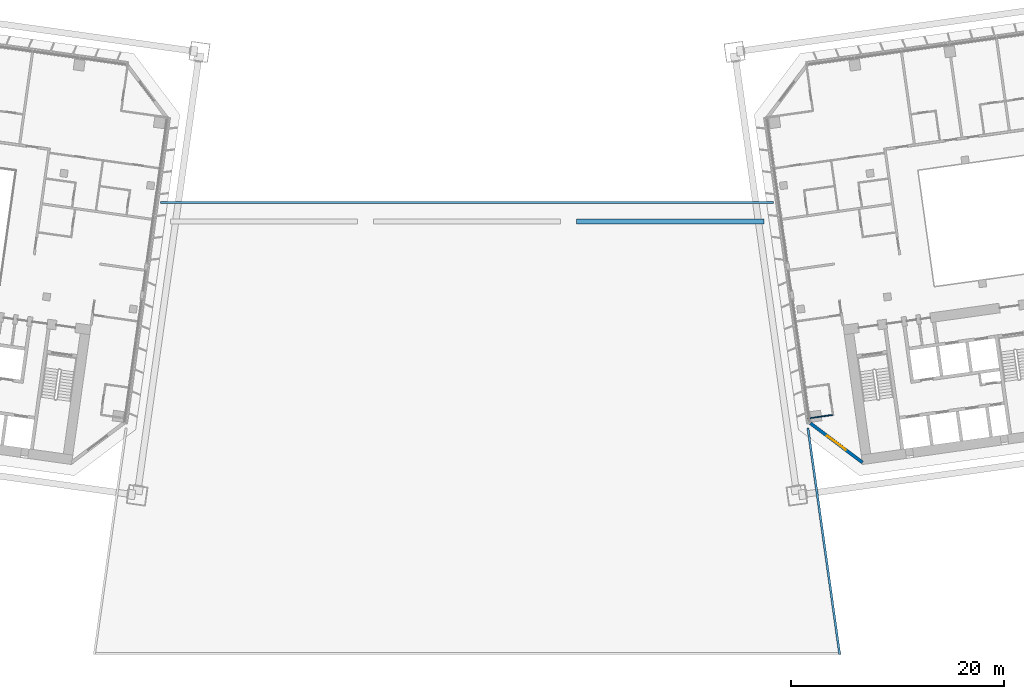
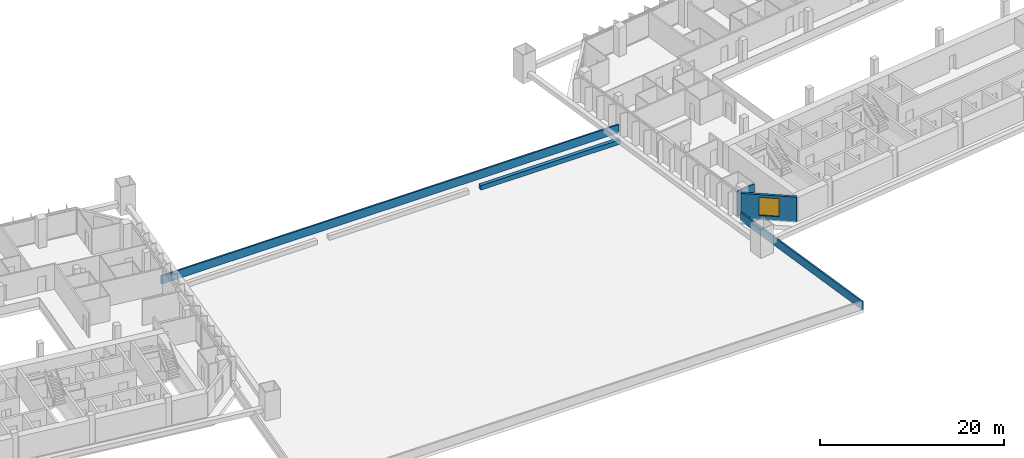
# One storey, part 32 of 46: 5 walls, 1 window, 1 opening.
"""IFC4 building model written with IfcOpenShell, lengths in metres."""

from ifc_helpers import new_model, si_unit, direction, frame, frame_2d, origin, place, context, subcontext, project, spatial, rectangle, extrude, material, layer, layer_set, type_object, element, fill, save


model = new_model("IFC4")

# Units and contexts
model_context = context("Model", 3, precision=1e-05, world=origin(), true_north=direction((0.0, 1.0)))
body_context = subcontext(model_context, "Body", "Model", "MODEL_VIEW")
ifc_project = project(units=[si_unit("LENGTHUNIT", "METRE"), si_unit("AREAUNIT", "SQUARE_METRE"), si_unit("VOLUMEUNIT", "CUBIC_METRE"), si_unit("PLANEANGLEUNIT", "RADIAN"), si_unit("MASSUNIT", "GRAM", prefix="KILO")], contexts=[model_context])

# Site, building, storey
site_placement = place(None, origin())
site = spatial("IfcSite", under=ifc_project, at=site_placement, CompositionType="ELEMENT")
building_placement = place(site_placement, origin())
building = spatial("IfcBuilding", under=site, at=building_placement, Name="Mirante Cascada Hotel Towers", CompositionType="ELEMENT")
storey_placement = place(building_placement, frame((0.0, 0.0, 39.5)))
storey = spatial("IfcBuildingStorey", under=building, at=storey_placement, Name="L06", CompositionType="ELEMENT", Elevation=39.5)

# Walls
ifc_material_1 = material(Name="Plasterboard on metal studs")
ifc_layer_1 = layer(ifc_material_1, 0.1)
ifc_layer_set_1 = layer_set([ifc_layer_1], Name="Partition 100")
wall_type_1 = type_object("IfcWallType", Name="Partition 100", PredefinedType="PARTITIONING", material=ifc_layer_set_1)
wall_1_placement = place(storey_placement, frame((34.2756, -15.5367, 0.0), z_axis=(0.0, 0.0, 1.0), x_axis=(-0.9902661, -0.139187, 0.0)))
element("IfcWall", 1, at=wall_1_placement, inside=storey, type_object=wall_type_1, Name="Wall 2-L06-02", PredefinedType="PARTITIONING", context=body_context, shape_type="SweptSolid", body=[
    extrude(rectangle(XDim=2.3501, YDim=0.1, at=frame_2d((1.175, 0.0))), origin(), (0.0, 0.0, 1.0), 3.35),
])
ifc_material_2 = material(Name="Precast concrete C40/50", Category="concrete")
ifc_layer_2 = layer(ifc_material_2, 0.45)
ifc_layer_set_2 = layer_set([ifc_layer_2], Name="Planter wall 450 concrete C40/50")
wall_type_2 = type_object("IfcWallType", Name="Planter wall 450 concrete C40/50", PredefinedType="PARAPET", material=ifc_layer_set_2)
wall_2_placement = place(storey_placement, frame((10.2796, 2.6, 0.0), z_axis=(0.0, 0.0, 1.0), x_axis=(1.0, 0.0, 0.0)))
element("IfcWall", 2, at=wall_2_placement, inside=storey, type_object=wall_type_2, Name="PLANTER podium L05 bed 1.3", PredefinedType="PARAPET", context=body_context, shape_type="SweptSolid", body=[
    extrude(rectangle(XDim=17.5592, YDim=0.45, at=frame_2d((8.7796, 0.0))), origin(), (0.0, 0.0, 1.0), 0.6),
])

# Wall, opening, window
ifc_material_3 = material(Name="Precast concrete C40/50", Category="concrete")
ifc_layer_3 = layer(ifc_material_3, 0.3)
ifc_layer_set_3 = layer_set([ifc_layer_3], Name="Precast concrete C40/50 cladding wall 300")
wall_type_3 = type_object("IfcWallType", Name="Precast concrete C40/50 cladding wall 300", PredefinedType="STANDARD", material=ifc_layer_set_3)
wall_3_placement = place(storey_placement, frame((32.2074, -16.3138, 0.0), z_axis=(0.0, 0.0, 1.0), x_axis=(0.7986362, -0.6018141, 0.0)))
wall_3 = element("IfcWall", 3, at=wall_3_placement, inside=storey, type_object=wall_type_3, Name="Corner cladding wall T2 L06 inner rear", PredefinedType="STANDARD", context=body_context, shape_type="SweptSolid", body=[
    extrude(rectangle(XDim=6.1157, YDim=0.3, at=frame_2d((3.0578, 0.0))), origin(), (0.0, 0.0, 1.0), 3.35),
])
opening_placement = place(wall_3_placement, frame((1.9578, 0.0, 0.6)))
opening = element("IfcOpeningElement", 4, at=opening_placement, cuts=wall_3, Name="Opening W2-06-05", PredefinedType="OPENING", context=body_context, shape_type="SweptSolid", body=[
    extrude(rectangle(XDim=2.2, YDim=2.4, at=frame_2d((1.1, 1.2))), frame((0.0, 0.15, 0.0), z_axis=(0.0, -1.0, 0.0), x_axis=(1.0, 0.0, 0.0)), (0.0, 0.0, 1.0), 0.3),
])
ifc_material_4 = material(Name="Aluminium frame with clear double glazing", Category="aluminium")
window_type = type_object("IfcWindowType", Name="Corner suite window 2200x2400", PartitioningType="DOUBLE_PANEL_VERTICAL", PredefinedType="WINDOW", material=ifc_material_4)
window_placement = place(opening_placement, origin())
window = element("IfcWindow", 5, at=window_placement, inside=storey, type_object=window_type, Name="Window W2-06-05", OverallHeight=2.4, OverallWidth=2.2, PartitioningType="SINGLE_PANEL", PredefinedType="WINDOW", context=body_context, shape_type="SweptSolid", body=[
    extrude(rectangle(XDim=2.2, YDim=2.4, at=frame_2d((1.1, 1.2))), frame((0.0, 0.03, 0.0), z_axis=(0.0, -1.0, 0.0), x_axis=(1.0, 0.0, 0.0)), (0.0, 0.0, 1.0), 0.06),
])
fill(opening, window)

# Walls
ifc_material_5 = material(Name="Precast concrete C40/50", Category="concrete")
ifc_layer_4 = layer(ifc_material_5, 0.2)
ifc_layer_set_4 = layer_set([ifc_layer_4], Name="Terrace parapet wall 200 concrete C40/50")
wall_type_4 = type_object("IfcWallType", Name="Terrace parapet wall 200 concrete C40/50", PredefinedType="PARAPET", material=ifc_layer_set_4)
wall_4_placement = place(storey_placement, frame((34.9604, -38.0139, 0.0), z_axis=(0.0, 0.0, 1.0), x_axis=(-0.1391689, 0.9902687, 0.0)))
element("IfcWall", 6, at=wall_4_placement, inside=storey, type_object=wall_type_4, Name="Terrace parapet podium L05 1.2.1", PredefinedType="PARAPET", context=body_context, shape_type="SweptSolid", body=[
    extrude(rectangle(XDim=21.4588, YDim=0.2, at=frame_2d((10.7294, 0.0))), origin(), (0.0, 0.0, 1.0), 1.1),
])
wall_5_placement = place(storey_placement, frame((28.7471, 4.4, 0.0), z_axis=(0.0, 0.0, 1.0), x_axis=(-1.0, 0.0, 0.0)))
element("IfcWall", 7, at=wall_5_placement, inside=storey, type_object=wall_type_4, Name="Terrace parapet podium L05 1.3.1", PredefinedType="PARAPET", context=body_context, shape_type="SweptSolid", body=[
    extrude(rectangle(XDim=57.4942, YDim=0.2, at=frame_2d((28.7471, 0.0))), origin(), (0.0, 0.0, 1.0), 1.1),
])

save(model, "model.ifc")
